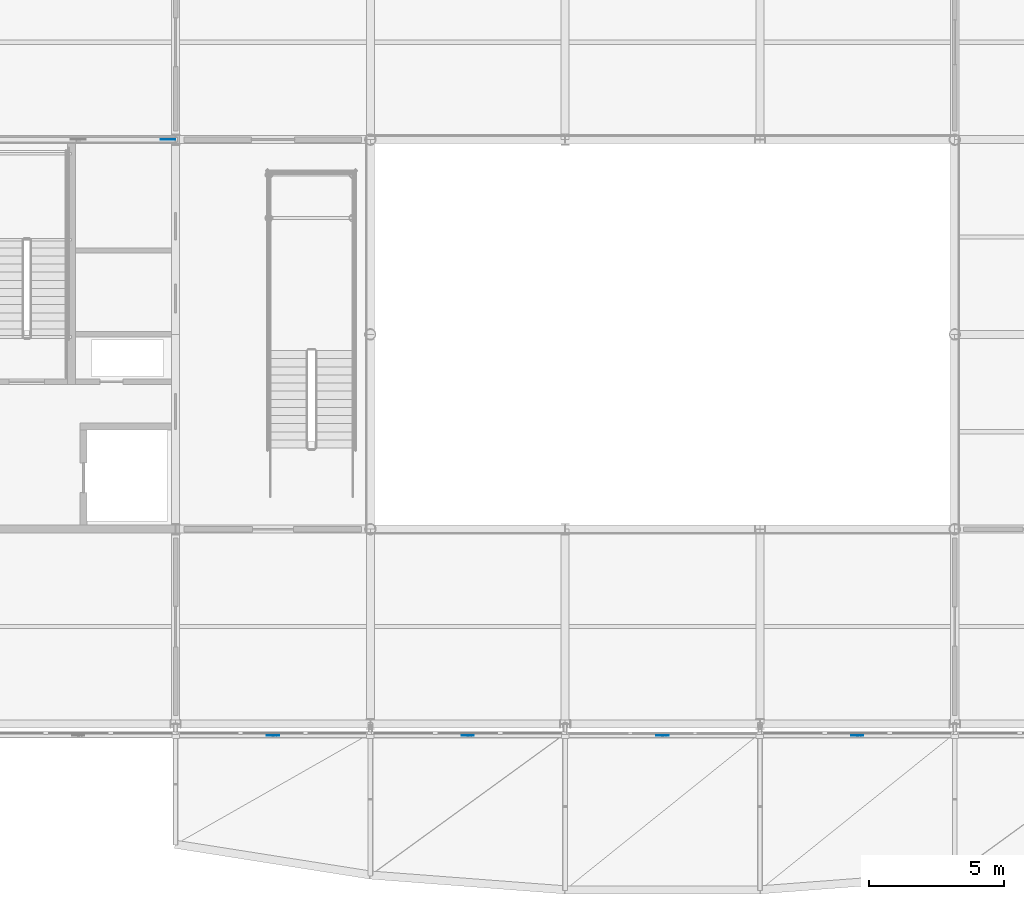
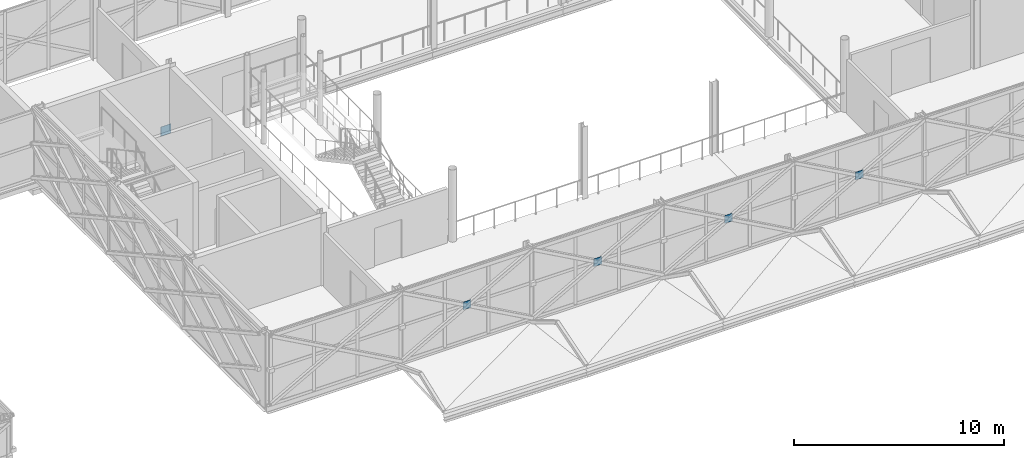
# One storey, part 102 of 146: 5 plates.
"""IFC4 building model written with IfcOpenShell, lengths in metres."""

from ifc_helpers import new_model, si_unit, direction, frame, origin, origin_2d, place, context, subcontext, project, spatial, rectangle, extrude, material, layer, layer_set, type_object, element, save


model = new_model("IFC4")

# Units and contexts
model_context = context("Model", 3, precision=1e-05, world=origin(), true_north=direction((0.0, 1.0)))
body_context = subcontext(model_context, "Body", "Model", "MODEL_VIEW")
ifc_project = project(units=[si_unit("LENGTHUNIT", "METRE"), si_unit("AREAUNIT", "SQUARE_METRE"), si_unit("VOLUMEUNIT", "CUBIC_METRE"), si_unit("PLANEANGLEUNIT", "RADIAN"), si_unit("MASSUNIT", "GRAM", prefix="KILO")], contexts=[model_context])

# Site, building, storey
site_placement = place(None, origin())
site = spatial("IfcSite", under=ifc_project, at=site_placement, CompositionType="ELEMENT")
building_placement = place(site_placement, origin())
building = spatial("IfcBuilding", under=site, at=building_placement, Name="Zlatovets Crest Museum", CompositionType="ELEMENT")
storey_placement = place(building_placement, frame((0.0, 0.0, 4.5)))
storey = spatial("IfcBuildingStorey", under=building, at=storey_placement, Name="L01", CompositionType="ELEMENT", Elevation=4.5)

# Plates
ifc_material = material(Name="Structural steel S355J2", Category="steel")
ifc_layer_1 = layer(ifc_material, 0.02490234375)
ifc_layer_set_1 = layer_set([ifc_layer_1], Name="Structural steel S355J2")
plate_type_1 = type_object("IfcPlateType", Name="Gusset_GP-01", PredefinedType="USERDEFINED", material=ifc_layer_set_1)
plate_placement = place(storey_placement, frame((64.52001953125, 21.60009765625, 0.0048828125), z_axis=(0.0, 0.0, 1.0), x_axis=(1.0, 0.0, 0.0)))
element("IfcPlate", 1, at=plate_placement, inside=storey, type_object=plate_type_1, Name="V2 L01 Brace End Gusset Plate GP-01", ObjectType="GUSSET", PredefinedType="USERDEFINED", context=body_context, shape_type="SweptSolid", body=[
    extrude(rectangle(XDim=0.550048828125, YDim=0.02490234375, at=origin_2d()), origin(), (0.0, 0.0, 1.0), 0.550048828125),
])
ifc_layer_2 = layer(ifc_material, 0.02001953125)
ifc_layer_set_2 = layer_set([ifc_layer_2], Name="Structural steel S355J2")
plate_type_2 = type_object("IfcPlateType", Name="Gusset_GP-04", PredefinedType="USERDEFINED", material=ifc_layer_set_2)
for number, where, z_axis, x_axis, name in (
    (2, (68.39990234375, -0.419921875, 1.875), (0.0, 0.0, 1.0), (1.0, 0.0, 0.0), "X-Brace Crossing Node Gusset Plate GP-04"),
    (3, (75.60009765625, -0.419921875, 1.875), (0.0, 0.0, 1.0), (1.0, 0.0, 0.0), "X-Brace Crossing Node Gusset Plate GP-04"),
    (4, (82.800048828125, -0.419921875, 1.875), (0.0, 0.0, 1.0), (1.0, 0.0, 0.0), "X-Brace Crossing Node Gusset Plate GP-04"),
    (5, (90.0, -0.419921875, 1.875), (0.0, 0.0, 1.0), (1.0, 0.0, 0.0), "X-Brace Crossing Node Gusset Plate GP-04"),
):
    element("IfcPlate", number, at=place(storey_placement, frame(where, z_axis=z_axis, x_axis=x_axis)), inside=storey, type_object=plate_type_2, Name=name, ObjectType="GUSSET", PredefinedType="USERDEFINED", context=body_context, shape_type="SweptSolid", body=[
        extrude(rectangle(XDim=0.449951171875, YDim=0.02001953125, at=origin_2d()), origin(), (0.0, 0.0, 1.0), 0.449951171875),
    ])

save(model, "model.ifc")
